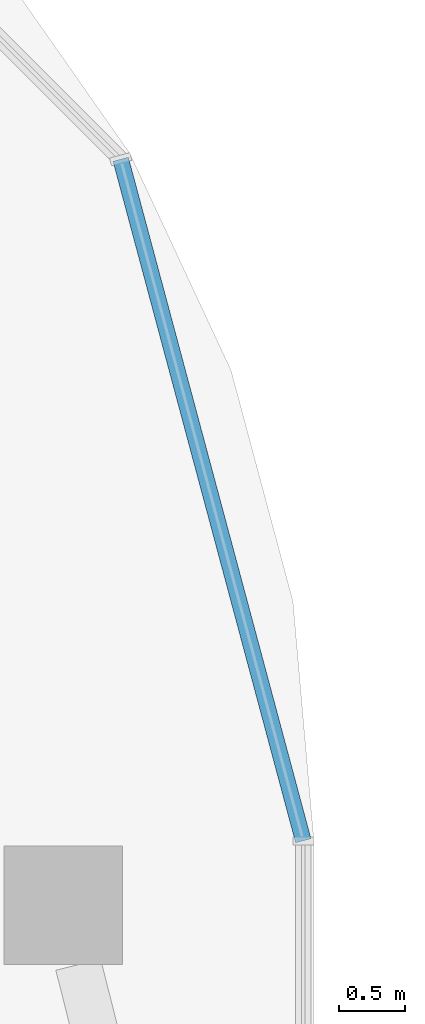
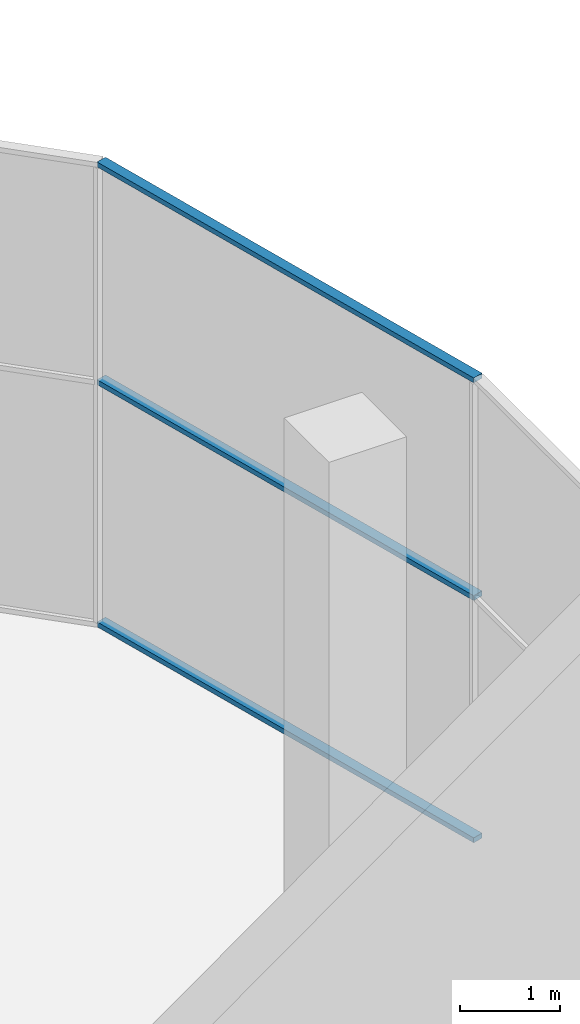
# One storey, part 4 of 19: 3 members, 1 element without a shape of its own.
"""IFC4 building model written with IfcOpenShell, lengths in metres."""

from ifc_helpers import new_model, si_unit, direction, frame, origin, origin_2d, place, context, subcontext, project, spatial, rectangle, extrude, material, material_profile, profile_set, type_object, element, aggregate, save


model = new_model("IFC4")

# Units and contexts
model_context = context("Model", 3, precision=1e-05, world=origin(), true_north=direction((0.0, 1.0)))
body_context = subcontext(model_context, "Body", "Model", "MODEL_VIEW")
ifc_project = project(units=[si_unit("LENGTHUNIT", "METRE"), si_unit("AREAUNIT", "SQUARE_METRE"), si_unit("VOLUMEUNIT", "CUBIC_METRE"), si_unit("PLANEANGLEUNIT", "RADIAN"), si_unit("MASSUNIT", "GRAM", prefix="KILO")], contexts=[model_context])

# Site, building, storey
site_placement = place(None, origin())
site = spatial("IfcSite", under=ifc_project, at=site_placement, CompositionType="ELEMENT")
building_placement = place(site_placement, origin())
building = spatial("IfcBuilding", under=site, at=building_placement, Name="Ogive Portal Towers", CompositionType="ELEMENT")
storey_placement = place(building_placement, frame((0.0, 0.0, 254.89990234375)))
storey = spatial("IfcBuildingStorey", under=building, at=storey_placement, Name="L63", CompositionType="ELEMENT", Elevation=254.89990234375)

# Curtain wall, members
ifc_material_1 = material(Name="Glass, clear low-iron insulated glazing", Category="glass")
curtain_wall_type = type_object("IfcCurtainWallType", Name="CW OBSERVATION WALL", PredefinedType="NOTDEFINED", material=ifc_material_1)
curtain_wall_placement = place(storey_placement, origin())
curtain_wall = element("IfcCurtainWall", 1, at=curtain_wall_placement, inside=storey, type_object=curtain_wall_type, Name="A:L63:f19:cwa", PredefinedType="NOTDEFINED")
ifc_material_2 = material(Name="Aluminium 6063 anodised", Category="aluminium")
ifc_material_profile = material_profile(ifc_material_2, rectangle(XDim=0.1201171875, YDim=0.06005859375, at=origin_2d()), Name="AL 120x60")
ifc_profile_set = profile_set([ifc_material_profile], Name="Aluminium 6063 anodised")
member_type = type_object("IfcMemberType", Name="CW TRANSOM 60x120", PredefinedType="USERDEFINED", material=ifc_profile_set)
member_1_placement = place(storey_placement, frame((51.320068359375, 48.989501953125, 0.030029296875), z_axis=(-0.258806775726, 0.965929113775, 0.0), x_axis=(-0.965929113775, -0.258806775726, 0.0)))
member_1 = element("IfcMember", 2, at=member_1_placement, type_object=member_type, Name="transom", ObjectType="TRANSOM", PredefinedType="USERDEFINED", context=body_context, shape_type="SweptSolid", body=[
    extrude(rectangle(XDim=0.1201171875, YDim=0.06005859375, at=origin_2d()), origin(), (0.0, 0.0, 1.0), 5.3515625),
])
member_2_placement = place(storey_placement, frame((51.320068359375, 48.989501953125, 3.0), z_axis=(-0.258806775726, 0.965929113775, 0.0), x_axis=(-0.965929113775, -0.258806775726, 0.0)))
member_2 = element("IfcMember", 3, at=member_2_placement, type_object=member_type, Name="transom", ObjectType="TRANSOM", PredefinedType="USERDEFINED", context=body_context, shape_type="SweptSolid", body=[
    extrude(rectangle(XDim=0.1201171875, YDim=0.06005859375, at=origin_2d()), origin(), (0.0, 0.0, 1.0), 5.3515625),
])
member_3_placement = place(storey_placement, frame((51.320068359375, 48.989501953125, 5.670166015625), z_axis=(-0.258806775726, 0.965929113775, 0.0), x_axis=(-0.965929113775, -0.258806775726, 0.0)))
member_3 = element("IfcMember", 4, at=member_3_placement, type_object=member_type, Name="transom", ObjectType="TRANSOM", PredefinedType="USERDEFINED", context=body_context, shape_type="SweptSolid", body=[
    extrude(rectangle(XDim=0.1201171875, YDim=0.06005859375, at=origin_2d()), origin(), (0.0, 0.0, 1.0), 5.3515625),
])
aggregate(curtain_wall, [member_1, member_2, member_3])

save(model, "model.ifc")
